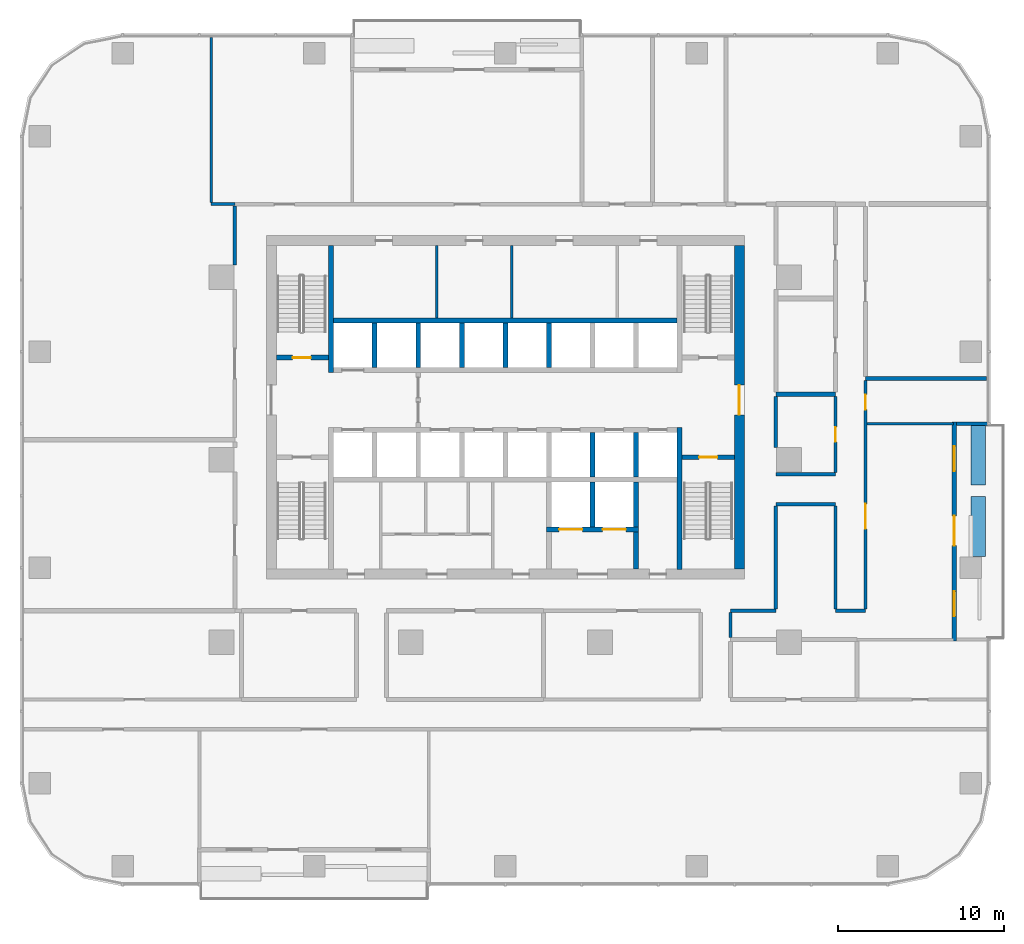
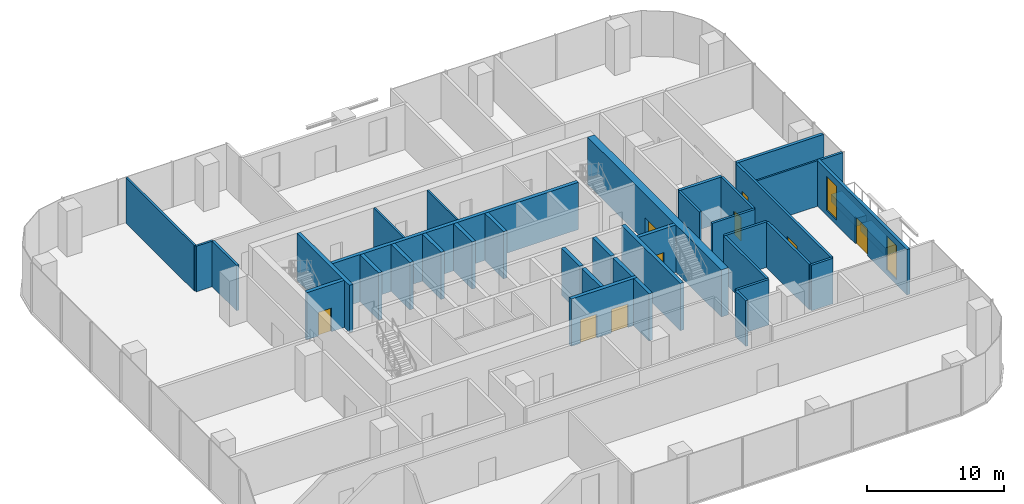
# One storey, part 9 of 14: 39 walls, 9 doors, 2 windows, 11 openings.
"""IFC4 building model written with IfcOpenShell, lengths in metres."""

from ifc_helpers import new_model, si_unit, direction, frame, frame_2d, origin, place, context, subcontext, project, spatial, rectangle, extrude, material, layer, layer_set, type_object, element, fill, save


model = new_model("IFC4")

# Units and contexts
model_context = context("Model", 3, precision=1e-05, world=origin(), true_north=direction((0.0, 1.0)))
body_context = subcontext(model_context, "Body", "Model", "MODEL_VIEW")
ifc_project = project(units=[si_unit("LENGTHUNIT", "METRE"), si_unit("AREAUNIT", "SQUARE_METRE"), si_unit("VOLUMEUNIT", "CUBIC_METRE"), si_unit("PLANEANGLEUNIT", "RADIAN"), si_unit("MASSUNIT", "GRAM", prefix="KILO")], contexts=[model_context])

# Site, building, storey
site_placement = place(None, origin())
site = spatial("IfcSite", under=ifc_project, at=site_placement, CompositionType="ELEMENT")
building_placement = place(site_placement, origin())
building = spatial("IfcBuilding", under=site, at=building_placement, Name="Mopane Tessera Tower", CompositionType="ELEMENT")
storey_placement = place(building_placement, frame((0.0, 0.0, 130.60009765625)))
storey = spatial("IfcBuildingStorey", under=building, at=storey_placement, Name="L26", CompositionType="ELEMENT", Elevation=130.60009765625)

# Walls
ifc_material_1 = material(Name="Fire-rated gypsum board partition")
ifc_layer_1 = layer(ifc_material_1, 0.14990234375)
ifc_layer_set_1 = layer_set([ifc_layer_1], Name="Fire-rated gypsum board partition")
wall_type_1 = type_object("IfcWallType", Name="Core room partition 150 mm", PredefinedType="PARTITIONING", material=ifc_layer_set_1)
for number, where, z_axis, x_axis, name in (
    (1, (-4.125, 8.550048828125, 0.0), (0.0, 0.0, 1.0), (0.0, 1.0, 0.0), "L26 Room partition"),
    (2, (0.375, 8.550048828125, 0.0), (0.0, 0.0, 1.0), (0.0, 1.0, 0.0), "L26 Room partition"),
):
    element("IfcWall", number, at=place(storey_placement, frame(where, z_axis=z_axis, x_axis=x_axis)), inside=storey, type_object=wall_type_1, Name=name, PredefinedType="PARTITIONING", context=body_context, shape_type="SweptSolid", body=[
        extrude(rectangle(XDim=4.349853515625, YDim=0.14990234375, at=frame_2d((2.1748046875, 0.0))), origin(), (0.0, 0.0, 1.0), 4.199951171875),
    ])

# Wall, opening, door
ifc_material_2 = material(Name="Concrete C70/85", Category="concrete")
ifc_layer_2 = layer(ifc_material_2, 0.60009765625)
ifc_layer_set_2 = layer_set([ifc_layer_2], Name="Concrete C70/85")
wall_type_2 = type_object("IfcWallType", Name="Core shear wall 600 mm", PredefinedType="SHEAR", material=ifc_layer_set_2)
wall_1_placement = place(storey_placement, frame((14.10009765625, -6.60009765625, 0.0), z_axis=(0.0, 0.0, 1.0), x_axis=(0.0, 1.0, 0.0)))
wall_1 = element("IfcWall", 3, at=wall_1_placement, inside=storey, type_object=wall_type_2, Name="L26 Core wall east", PredefinedType="SHEAR", context=body_context, shape_type="SweptSolid", body=[
    extrude(rectangle(XDim=19.5, YDim=0.60009765625, at=frame_2d((9.75, 0.0))), origin(), (0.0, 0.0, 1.0), 4.199951171875),
])
opening_1_placement = place(wall_1_placement, frame((9.300048828125, 0.0, 0.0)))
opening_1 = element("IfcOpeningElement", 4, at=opening_1_placement, cuts=wall_1, Name="Opening SD2", PredefinedType="OPENING", context=body_context, shape_type="SweptSolid", body=[
    extrude(rectangle(XDim=1.800048828125, YDim=2.10009765625, at=frame_2d((0.89990234375, 1.050048828125))), frame((0.0, 0.31201171875, 0.0), z_axis=(0.0, -1.0, 0.0), x_axis=(1.0, 0.0, 0.0)), (0.0, 0.0, 1.0), 0.6240234375),
])
ifc_material_3 = material(Name="Steel fire door", Category="steel")
door_type_1 = type_object("IfcDoorType", Name="Core entrance double door 1800 x 2100", OperationType="DOUBLE_DOOR_SINGLE_SWING", PredefinedType="DOOR", material=ifc_material_3)
door_1_placement = place(opening_1_placement, origin())
door_1 = element("IfcDoor", 5, at=door_1_placement, inside=storey, type_object=door_type_1, Name="L26 Core entrance door east", OperationType="DOUBLE_DOOR_SINGLE_SWING", OverallHeight=2.10009765625, OverallWidth=1.800048828125, PredefinedType="DOOR", context=body_context, shape_type="SweptSolid", body=[
    extrude(rectangle(XDim=1.800048828125, YDim=2.10009765625, at=frame_2d((0.89990234375, 1.050048828125))), frame((0.0, 0.02490234375, 0.0), z_axis=(0.0, -1.0, 0.0), x_axis=(1.0, 0.0, 0.0)), (0.0, 0.0, 1.0), 0.050048828125),
])
fill(opening_1, door_1)

# Walls
ifc_material_4 = material(Name="Concrete C60/75", Category="concrete")
ifc_layer_3 = layer(ifc_material_4, 0.300048828125)
ifc_layer_set_3 = layer_set([ifc_layer_3], Name="Concrete C60/75")
wall_type_3 = type_object("IfcWallType", Name="Core spine wall 300 mm", PredefinedType="SHEAR", material=ifc_layer_set_3)
wall_2_placement = place(storey_placement, frame((-10.5, 5.25, 0.0), z_axis=(0.0, 0.0, 1.0), x_axis=(0.0, 1.0, 0.0)))
element("IfcWall", 6, at=wall_2_placement, inside=storey, type_object=wall_type_3, Name="L26 Core spine wall", PredefinedType="SHEAR", context=body_context, shape_type="SweptSolid", body=[
    extrude(rectangle(XDim=7.64990234375, YDim=0.300048828125, at=frame_2d((3.824951171875, 0.0))), origin(), (0.0, 0.0, 1.0), 4.199951171875),
])
wall_3_placement = place(storey_placement, frame((10.5, -6.60009765625, 0.0), z_axis=(0.0, 0.0, 1.0), x_axis=(0.0, 1.0, 0.0)))
element("IfcWall", 7, at=wall_3_placement, inside=storey, type_object=wall_type_3, Name="L26 Core spine wall", PredefinedType="SHEAR", context=body_context, shape_type="SweptSolid", body=[
    extrude(rectangle(XDim=8.550048828125, YDim=0.300048828125, at=frame_2d((4.27490234375, 0.0))), origin(), (0.0, 0.0, 1.0), 4.199951171875),
])
ifc_material_5 = material(Name="Gypsum board on staggered steel studs, double layer each face, acoustic mineral wool infill", Category="steel")
ifc_layer_4 = layer(ifc_material_5, 0.175048828125)
ifc_layer_set_4 = layer_set([ifc_layer_4], Name="Gypsum board on staggered steel studs, double layer each face, acoustic mineral wool infill")
wall_type_4 = type_object("IfcWallType", Name="Gypsum board acoustic partition 175, rated EI 60", PredefinedType="PARTITIONING", material=ifc_layer_set_4)
wall_4_placement = place(storey_placement, frame((-17.72509765625, 15.39990234375, 0.0), z_axis=(0.0, 0.0, 1.0), x_axis=(1.0, 0.0, 0.0)))
element("IfcWall", 8, at=wall_4_placement, inside=storey, type_object=wall_type_4, Name="Partition L26:024", PredefinedType="PARTITIONING", context=body_context, shape_type="SweptSolid", body=[
    extrude(rectangle(XDim=1.425048828125, YDim=0.175048828125, at=frame_2d((0.71240234375, 0.0))), origin(), (0.0, 0.0, 1.0), 4.0498046875),
])
wall_5_placement = place(storey_placement, frame((-17.72509765625, 15.488037109375, 0.0), z_axis=(0.0, 0.0, 1.0), x_axis=(0.0, 1.0, 0.0)))
element("IfcWall", 9, at=wall_5_placement, inside=storey, type_object=wall_type_4, Name="Partition L26:033", PredefinedType="PARTITIONING", context=body_context, shape_type="SweptSolid", body=[
    extrude(rectangle(XDim=9.9619140625, YDim=0.175048828125, at=frame_2d((4.98095703125, 0.0))), origin(), (0.0, 0.0, 1.0), 4.0498046875),
])
ifc_material_6 = material(Name="Gypsum board on steel studs, two layers each face, mineral wool infill", Category="steel")
ifc_layer_5 = layer(ifc_material_6, 0.199951171875)
ifc_layer_set_5 = layer_set([ifc_layer_5], Name="Gypsum board on steel studs, two layers each face, mineral wool infill")
wall_type_5 = type_object("IfcWallType", Name="Gypsum board corridor wall 200, rated EI 60", PredefinedType="PARTITIONING", material=ifc_layer_set_5)
wall_6_placement = place(storey_placement, frame((13.570068359375, -9.10009765625, 0.0), z_axis=(0.0, 0.0, 1.0), x_axis=(1.0, 0.0, 0.0)))
element("IfcWall", 10, at=wall_6_placement, inside=storey, type_object=wall_type_5, Name="Partition L26:012", PredefinedType="PARTITIONING", context=body_context, shape_type="SweptSolid", body=[
    extrude(rectangle(XDim=2.72998046875, YDim=0.199951171875, at=frame_2d((1.364990234375, 0.0))), origin(), (0.0, 0.0, 1.0), 4.0498046875),
])
wall_7_placement = place(storey_placement, frame((19.89990234375, -9.10009765625, 0.0), z_axis=(0.0, 0.0, 1.0), x_axis=(1.0, 0.0, 0.0)))
element("IfcWall", 11, at=wall_7_placement, inside=storey, type_object=wall_type_5, Name="Partition L26:013", PredefinedType="PARTITIONING", context=body_context, shape_type="SweptSolid", body=[
    extrude(rectangle(XDim=1.800048828125, YDim=0.199951171875, at=frame_2d((0.89990234375, 0.0))), origin(), (0.0, 0.0, 1.0), 4.0498046875),
])
for number, where, z_axis, x_axis, name in (
    (12, (16.300048828125, -2.675048828125, 0.0), (0.0, 0.0, 1.0), (1.0, 0.0, 0.0), "Partition L26:017"),
    (13, (16.300048828125, -0.875, 0.0), (0.0, 0.0, 1.0), (1.0, 0.0, 0.0), "Partition L26:018"),
):
    element("IfcWall", number, at=place(storey_placement, frame(where, z_axis=z_axis, x_axis=x_axis)), inside=storey, type_object=wall_type_5, Name=name, PredefinedType="PARTITIONING", context=body_context, shape_type="SweptSolid", body=[
        extrude(rectangle(XDim=3.599853515625, YDim=0.199951171875, at=frame_2d((1.7998046875, 0.0))), origin(), (0.0, 0.0, 1.0), 4.0498046875),
    ])
wall_8_placement = place(storey_placement, frame((-16.300048828125, 11.75, 0.0), z_axis=(0.0, 0.0, 1.0), x_axis=(0.0, 1.0, 0.0)))
element("IfcWall", 14, at=wall_8_placement, inside=storey, type_object=wall_type_5, Name="Partition L26:035", PredefinedType="PARTITIONING", context=body_context, shape_type="SweptSolid", body=[
    extrude(rectangle(XDim=3.550048828125, YDim=0.199951171875, at=frame_2d((1.77490234375, 0.0))), origin(), (0.0, 0.0, 1.0), 4.0498046875),
])
wall_9_placement = place(storey_placement, frame((13.570068359375, -10.7099609375, 0.0), z_axis=(0.0, 0.0, 1.0), x_axis=(0.0, 1.0, 0.0)))
element("IfcWall", 15, at=wall_9_placement, inside=storey, type_object=wall_type_5, Name="Partition L26:048", PredefinedType="PARTITIONING", context=body_context, shape_type="SweptSolid", body=[
    extrude(rectangle(XDim=1.510009765625, YDim=0.199951171875, at=frame_2d((0.7548828125, 0.0))), origin(), (0.0, 0.0, 1.0), 4.0498046875),
])
wall_10_placement = place(storey_placement, frame((16.300048828125, -9.0, 0.0), z_axis=(0.0, 0.0, 1.0), x_axis=(0.0, 1.0, 0.0)))
element("IfcWall", 16, at=wall_10_placement, inside=storey, type_object=wall_type_5, Name="Partition L26:050", PredefinedType="PARTITIONING", context=body_context, shape_type="SweptSolid", body=[
    extrude(rectangle(XDim=6.22509765625, YDim=0.199951171875, at=frame_2d((3.112548828125, 0.0))), origin(), (0.0, 0.0, 1.0), 4.0498046875),
])
wall_11_placement = place(storey_placement, frame((16.300048828125, 0.75, 0.0), z_axis=(0.0, 0.0, 1.0), x_axis=(0.0, 1.0, 0.0)))
element("IfcWall", 17, at=wall_11_placement, inside=storey, type_object=wall_type_5, Name="Partition L26:051", PredefinedType="PARTITIONING", context=body_context, shape_type="SweptSolid", body=[
    extrude(rectangle(XDim=3.070068359375, YDim=0.199951171875, at=frame_2d((1.53515625, 0.0))), origin(), (0.0, 0.0, 1.0), 4.0498046875),
])
wall_12_placement = place(storey_placement, frame((19.89990234375, -9.0, 0.0), z_axis=(0.0, 0.0, 1.0), x_axis=(0.0, 1.0, 0.0)))
element("IfcWall", 18, at=wall_12_placement, inside=storey, type_object=wall_type_5, Name="Partition L26:054", PredefinedType="PARTITIONING", context=body_context, shape_type="SweptSolid", body=[
    extrude(rectangle(XDim=6.22509765625, YDim=0.199951171875, at=frame_2d((3.112548828125, 0.0))), origin(), (0.0, 0.0, 1.0), 4.0498046875),
])

# Wall, opening, door
wall_13_placement = place(storey_placement, frame((19.89990234375, -0.77490234375, 0.0), z_axis=(0.0, 0.0, 1.0), x_axis=(0.0, 1.0, 0.0)))
wall_13 = element("IfcWall", 19, at=wall_13_placement, inside=storey, type_object=wall_type_5, Name="Partition L26:055", PredefinedType="PARTITIONING", context=body_context, shape_type="SweptSolid", body=[
    extrude(rectangle(XDim=4.594970703125, YDim=0.199951171875, at=frame_2d((2.29736328125, 0.0))), origin(), (0.0, 0.0, 1.0), 4.0498046875),
])
opening_2_placement = place(wall_13_placement, frame((1.847412109375, 0.0, 0.0)))
opening_2 = element("IfcOpeningElement", 20, at=opening_2_placement, cuts=wall_13, Name="Opening L26-16", PredefinedType="OPENING", context=body_context, shape_type="SweptSolid", body=[
    extrude(rectangle(XDim=0.89990234375, YDim=2.10009765625, at=frame_2d((0.449951171875, 1.050048828125))), frame((0.0, 0.112060546875, 0.0), z_axis=(0.0, -1.0, 0.0), x_axis=(1.0, 0.0, 0.0)), (0.0, 0.0, 1.0), 0.223876953125),
])
ifc_material_7 = material(Name="Timber veneered steel-framed fire door", Category="steel")
door_type_2 = type_object("IfcDoorType", Name="Fire door FD60 900 x 2100", OperationType="SINGLE_SWING_LEFT", PredefinedType="DOOR", material=ifc_material_7)
door_2_placement = place(opening_2_placement, origin())
door_2 = element("IfcDoor", 21, at=door_2_placement, inside=storey, type_object=door_type_2, Name="Door L26-16", ObjectType="D10A", OperationType="SINGLE_SWING_LEFT", OverallHeight=2.10009765625, OverallWidth=0.89990234375, PredefinedType="DOOR", context=body_context, shape_type="SweptSolid", body=[
    extrude(rectangle(XDim=0.89990234375, YDim=2.10009765625, at=frame_2d((0.449951171875, 1.050048828125))), frame((0.0, 0.02490234375, 0.0), z_axis=(0.0, -1.0, 0.0), x_axis=(1.0, 0.0, 0.0)), (0.0, 0.0, 1.0), 0.050048828125),
])
fill(opening_2, door_2)

# Wall, openings, doors
wall_14_placement = place(storey_placement, frame((21.699951171875, -9.0, 0.0), z_axis=(0.0, 0.0, 1.0), x_axis=(0.0, 1.0, 0.0)))
wall_14 = element("IfcWall", 22, at=wall_14_placement, inside=storey, type_object=wall_type_5, Name="Partition L26:058", PredefinedType="PARTITIONING", context=body_context, shape_type="SweptSolid", body=[
    extrude(rectangle(XDim=13.77490234375, YDim=0.199951171875, at=frame_2d((6.887451171875, 0.0))), origin(), (0.0, 0.0, 1.0), 4.0498046875),
])
opening_3_placement = place(wall_14_placement, frame((4.83251953125, 0.0, 0.0)))
opening_3 = element("IfcOpeningElement", 23, at=opening_3_placement, cuts=wall_14, Name="Opening L26-04", PredefinedType="OPENING", context=body_context, shape_type="SweptSolid", body=[
    extrude(rectangle(XDim=1.5, YDim=2.10009765625, at=frame_2d((0.75, 1.050048828125))), frame((0.0, 0.112060546875, 0.0), z_axis=(0.0, -1.0, 0.0), x_axis=(1.0, 0.0, 0.0)), (0.0, 0.0, 1.0), 0.223876953125),
])
opening_4_placement = place(wall_14_placement, frame((12.02001953125, 0.0, 0.0)))
opening_4 = element("IfcOpeningElement", 24, at=opening_4_placement, cuts=wall_14, Name="Opening L26-22", PredefinedType="OPENING", context=body_context, shape_type="SweptSolid", body=[
    extrude(rectangle(XDim=0.89990234375, YDim=2.10009765625, at=frame_2d((0.449951171875, 1.050048828125))), frame((0.0, 0.112060546875, 0.0), z_axis=(0.0, -1.0, 0.0), x_axis=(1.0, 0.0, 0.0)), (0.0, 0.0, 1.0), 0.223876953125),
])
door_3_placement = place(opening_4_placement, origin())
door_3 = element("IfcDoor", 25, at=door_3_placement, inside=storey, type_object=door_type_2, Name="Door L26-22", ObjectType="D10A", OperationType="SINGLE_SWING_RIGHT", OverallHeight=2.10009765625, OverallWidth=0.89990234375, PredefinedType="DOOR", context=body_context, shape_type="SweptSolid", body=[
    extrude(rectangle(XDim=0.89990234375, YDim=2.10009765625, at=frame_2d((0.449951171875, 1.050048828125))), frame((0.0, 0.02490234375, 0.0), z_axis=(0.0, -1.0, 0.0), x_axis=(1.0, 0.0, 0.0)), (0.0, 0.0, 1.0), 0.050048828125),
])
fill(opening_4, door_3)
ifc_material_8 = material(Name="Timber veneered steel-framed fire door", Category="steel")
door_type_3 = type_object("IfcDoorType", Name="Fire door pair FD60 1500 x 2100", OperationType="DOUBLE_DOOR_SINGLE_SWING", PredefinedType="DOOR", material=ifc_material_8)
door_4_placement = place(opening_3_placement, origin())
door_4 = element("IfcDoor", 26, at=door_4_placement, inside=storey, type_object=door_type_3, Name="Door L26-04", ObjectType="D17A", OperationType="DOUBLE_DOOR_SINGLE_SWING", OverallHeight=2.10009765625, OverallWidth=1.5, PredefinedType="DOOR", context=body_context, shape_type="SweptSolid", body=[
    extrude(rectangle(XDim=1.5, YDim=2.10009765625, at=frame_2d((0.75, 1.050048828125))), frame((0.0, 0.02490234375, 0.0), z_axis=(0.0, -1.0, 0.0), x_axis=(1.0, 0.0, 0.0)), (0.0, 0.0, 1.0), 0.050048828125),
])
fill(opening_3, door_4)

# Wall
ifc_material_9 = material(Name="Gypsum board on steel studs, mineral wool infill", Category="steel")
ifc_layer_6 = layer(ifc_material_9, 0.14990234375)
ifc_layer_set_6 = layer_set([ifc_layer_6], Name="Gypsum board on steel studs, mineral wool infill")
wall_type_6 = type_object("IfcWallType", Name="Gypsum board partition 150, rated EI 60", PredefinedType="PARTITIONING", material=ifc_layer_set_6)
wall_15_placement = place(storey_placement, frame((21.800048828125, 2.1650390625, 0.0), z_axis=(0.0, 0.0, 1.0), x_axis=(1.0, 0.0, 0.0)))
element("IfcWall", 27, at=wall_15_placement, inside=storey, type_object=wall_type_6, Name="Partition L26:020", PredefinedType="PARTITIONING", context=body_context, shape_type="SweptSolid", body=[
    extrude(rectangle(XDim=5.199951171875, YDim=0.14990234375, at=frame_2d((2.60009765625, 0.0))), origin(), (0.0, 0.0, 1.0), 4.0498046875),
])

# Wall, opening, door
ifc_material_10 = material(Name="Concrete C50/60", Category="concrete")
ifc_layer_7 = layer(ifc_material_10, 0.300048828125)
ifc_layer_set_7 = layer_set([ifc_layer_7], Name="Concrete C50/60")
wall_type_7 = type_object("IfcWallType", Name="Lift and stair shaft wall 300 mm", PredefinedType="SOLIDWALL", material=ifc_layer_set_7)
wall_16_placement = place(storey_placement, frame((-13.800048828125, 6.14990234375, 0.0), z_axis=(0.0, 0.0, 1.0), x_axis=(1.0, 0.0, 0.0)))
wall_16 = element("IfcWall", 28, at=wall_16_placement, inside=storey, type_object=wall_type_7, Name="L26 Stair enclosure wall", PredefinedType="SOLIDWALL", context=body_context, shape_type="SweptSolid", body=[
    extrude(rectangle(XDim=3.150146484375, YDim=0.300048828125, at=frame_2d((1.5751953125, 0.0))), origin(), (0.0, 0.0, 1.0), 4.199951171875),
])
opening_5_placement = place(wall_16_placement, frame((0.97509765625, 0.0, 0.0)))
opening_5 = element("IfcOpeningElement", 29, at=opening_5_placement, cuts=wall_16, Name="Opening SD1", PredefinedType="OPENING", context=body_context, shape_type="SweptSolid", body=[
    extrude(rectangle(XDim=1.10009765625, YDim=2.10009765625, at=frame_2d((0.550048828125, 1.050048828125))), frame((0.0, 0.162109375, 0.0), z_axis=(0.0, -1.0, 0.0), x_axis=(1.0, 0.0, 0.0)), (0.0, 0.0, 1.0), 0.323974609375),
])
ifc_material_11 = material(Name="Steel fire door", Category="steel")
door_type_4 = type_object("IfcDoorType", Name="Stair fire door 1100 x 2100", OperationType="SINGLE_SWING_LEFT", PredefinedType="DOOR", material=ifc_material_11)
door_5_placement = place(opening_5_placement, origin())
door_5 = element("IfcDoor", 30, at=door_5_placement, inside=storey, type_object=door_type_4, Name="L26 Stair door ST2", OperationType="SINGLE_SWING_LEFT", OverallHeight=2.10009765625, OverallWidth=1.10009765625, PredefinedType="DOOR", context=body_context, shape_type="SweptSolid", body=[
    extrude(rectangle(XDim=1.10009765625, YDim=2.10009765625, at=frame_2d((0.550048828125, 1.050048828125))), frame((0.0, 0.02490234375, 0.0), z_axis=(0.0, -1.0, 0.0), x_axis=(1.0, 0.0, 0.0)), (0.0, 0.0, 1.0), 0.050048828125),
])
fill(opening_5, door_5)

wall_17_placement = place(storey_placement, frame((10.64990234375, 0.14990234375, 0.0), z_axis=(0.0, 0.0, 1.0), x_axis=(1.0, 0.0, 0.0)))
wall_17 = element("IfcWall", 31, at=wall_17_placement, inside=storey, type_object=wall_type_7, Name="L26 Stair enclosure wall", PredefinedType="SOLIDWALL", context=body_context, shape_type="SweptSolid", body=[
    extrude(rectangle(XDim=3.150146484375, YDim=0.300048828125, at=frame_2d((1.5751953125, 0.0))), origin(), (0.0, 0.0, 1.0), 4.199951171875),
])
opening_6_placement = place(wall_17_placement, frame((1.02490234375, 0.0, 0.0)))
opening_6 = element("IfcOpeningElement", 32, at=opening_6_placement, cuts=wall_17, Name="Opening SD1", PredefinedType="OPENING", context=body_context, shape_type="SweptSolid", body=[
    extrude(rectangle(XDim=1.10009765625, YDim=2.10009765625, at=frame_2d((0.550048828125, 1.050048828125))), frame((0.0, 0.162109375, 0.0), z_axis=(0.0, -1.0, 0.0), x_axis=(1.0, 0.0, 0.0)), (0.0, 0.0, 1.0), 0.323974609375),
])
door_6_placement = place(opening_6_placement, origin())
door_6 = element("IfcDoor", 33, at=door_6_placement, inside=storey, type_object=door_type_4, Name="L26 Stair door ST3", OperationType="SINGLE_SWING_RIGHT", OverallHeight=2.10009765625, OverallWidth=1.10009765625, PredefinedType="DOOR", context=body_context, shape_type="SweptSolid", body=[
    extrude(rectangle(XDim=1.10009765625, YDim=2.10009765625, at=frame_2d((0.550048828125, 1.050048828125))), frame((0.0, 0.02490234375, 0.0), z_axis=(0.0, -1.0, 0.0), x_axis=(1.0, 0.0, 0.0)), (0.0, 0.0, 1.0), 0.050048828125),
])
fill(opening_6, door_6)

# Walls
wall_18_placement = place(storey_placement, frame((-10.35009765625, 8.39990234375, 0.0), z_axis=(0.0, 0.0, 1.0), x_axis=(1.0, 0.0, 0.0)))
element("IfcWall", 34, at=wall_18_placement, inside=storey, type_object=wall_type_7, Name="L26 Lift shaft rear wall", PredefinedType="SOLIDWALL", context=body_context, shape_type="SweptSolid", body=[
    extrude(rectangle(XDim=20.7001953125, YDim=0.300048828125, at=frame_2d((10.35009765625, 0.0))), origin(), (0.0, 0.0, 1.0), 4.199951171875),
])
for number, where, z_axis, x_axis, name in (
    (35, (5.25, -1.050048828125, 0.0), (0.0, 0.0, 1.0), (0.0, 1.0, 0.0), "L26 Lift shaft wall"),
    (36, (7.875, -1.050048828125, 0.0), (0.0, 0.0, 1.0), (0.0, 1.0, 0.0), "L26 Lift shaft wall"),
    (37, (-7.875, 5.550048828125, 0.0), (0.0, 0.0, 1.0), (0.0, 1.0, 0.0), "L26 Lift shaft wall"),
    (38, (-5.25, 5.550048828125, 0.0), (0.0, 0.0, 1.0), (0.0, 1.0, 0.0), "L26 Lift shaft wall"),
    (39, (-2.625, 5.550048828125, 0.0), (0.0, 0.0, 1.0), (0.0, 1.0, 0.0), "L26 Lift shaft wall"),
    (40, (0.0, 5.550048828125, 0.0), (0.0, 0.0, 1.0), (0.0, 1.0, 0.0), "L26 Lift shaft wall"),
    (41, (2.625, 5.550048828125, 0.0), (0.0, 0.0, 1.0), (0.0, 1.0, 0.0), "L26 Lift shaft wall"),
):
    element("IfcWall", number, at=place(storey_placement, frame(where, z_axis=z_axis, x_axis=x_axis)), inside=storey, type_object=wall_type_7, Name=name, PredefinedType="SOLIDWALL", context=body_context, shape_type="SweptSolid", body=[
        extrude(rectangle(XDim=2.699951171875, YDim=0.300048828125, at=frame_2d((1.35009765625, 0.0))), origin(), (0.0, 0.0, 1.0), 4.199951171875),
    ])

# Wall, openings, doors
wall_19_placement = place(storey_placement, frame((2.47509765625, -4.199951171875, 0.0), z_axis=(0.0, 0.0, 1.0), x_axis=(1.0, 0.0, 0.0)))
wall_19 = element("IfcWall", 42, at=wall_19_placement, inside=storey, type_object=wall_type_7, Name="L26 Lift shaft front wall", PredefinedType="SOLIDWALL", context=body_context, shape_type="SweptSolid", body=[
    extrude(rectangle(XDim=5.5498046875, YDim=0.300048828125, at=frame_2d((2.77490234375, 0.0))), origin(), (0.0, 0.0, 1.0), 4.199951171875),
])
opening_7_placement = place(wall_19_placement, frame((0.762451171875, 0.0, 0.0)))
opening_7 = element("IfcOpeningElement", 43, at=opening_7_placement, cuts=wall_19, Name="Opening LD3", PredefinedType="OPENING", context=body_context, shape_type="SweptSolid", body=[
    extrude(rectangle(XDim=1.39990234375, YDim=2.10009765625, at=frame_2d((0.699951171875, 1.050048828125))), frame((0.0, 0.162109375, 0.0), z_axis=(0.0, -1.0, 0.0), x_axis=(1.0, 0.0, 0.0)), (0.0, 0.0, 1.0), 0.323974609375),
])
opening_8_placement = place(wall_19_placement, frame((3.387451171875, 0.0, 0.0)))
opening_8 = element("IfcOpeningElement", 44, at=opening_8_placement, cuts=wall_19, Name="Opening LD3", PredefinedType="OPENING", context=body_context, shape_type="SweptSolid", body=[
    extrude(rectangle(XDim=1.39990234375, YDim=2.10009765625, at=frame_2d((0.699951171875, 1.050048828125))), frame((0.0, 0.162109375, 0.0), z_axis=(0.0, -1.0, 0.0), x_axis=(1.0, 0.0, 0.0)), (0.0, 0.0, 1.0), 0.323974609375),
])
ifc_material_12 = material(Name="Stainless steel sliding door", Category="steel")
door_type_5 = type_object("IfcDoorType", Name="Service lift landing door 1400 x 2100", OperationType="DOUBLE_DOOR_SLIDING", PredefinedType="DOOR", material=ifc_material_12)
door_7_placement = place(opening_7_placement, origin())
door_7 = element("IfcDoor", 45, at=door_7_placement, inside=storey, type_object=door_type_5, Name="L26 Lift landing door SV1", OperationType="DOUBLE_DOOR_SLIDING", OverallHeight=2.10009765625, OverallWidth=1.39990234375, PredefinedType="DOOR", context=body_context, shape_type="SweptSolid", body=[
    extrude(rectangle(XDim=1.39990234375, YDim=2.10009765625, at=frame_2d((0.699951171875, 1.050048828125))), frame((0.0, 0.02490234375, 0.0), z_axis=(0.0, -1.0, 0.0), x_axis=(1.0, 0.0, 0.0)), (0.0, 0.0, 1.0), 0.050048828125),
])
fill(opening_7, door_7)
door_8_placement = place(opening_8_placement, origin())
door_8 = element("IfcDoor", 46, at=door_8_placement, inside=storey, type_object=door_type_5, Name="L26 Lift landing door SV2", OperationType="DOUBLE_DOOR_SLIDING", OverallHeight=2.10009765625, OverallWidth=1.39990234375, PredefinedType="DOOR", context=body_context, shape_type="SweptSolid", body=[
    extrude(rectangle(XDim=1.39990234375, YDim=2.10009765625, at=frame_2d((0.699951171875, 1.050048828125))), frame((0.0, 0.02490234375, 0.0), z_axis=(0.0, -1.0, 0.0), x_axis=(1.0, 0.0, 0.0)), (0.0, 0.0, 1.0), 0.050048828125),
])
fill(opening_8, door_8)

# Walls
for number, where, z_axis, x_axis, name in (
    (47, (5.25, -4.050048828125, 0.0), (0.0, 0.0, 1.0), (0.0, 1.0, 0.0), "L26 Lift shaft wall"),
    (48, (7.875, -4.050048828125, 0.0), (0.0, 0.0, 1.0), (0.0, 1.0, 0.0), "L26 Lift shaft wall"),
):
    element("IfcWall", number, at=place(storey_placement, frame(where, z_axis=z_axis, x_axis=x_axis)), inside=storey, type_object=wall_type_7, Name=name, PredefinedType="SOLIDWALL", context=body_context, shape_type="SweptSolid", body=[
        extrude(rectangle(XDim=2.699951171875, YDim=0.300048828125, at=frame_2d((1.35009765625, 0.0))), origin(), (0.0, 0.0, 1.0), 4.199951171875),
    ])
ifc_material_13 = material(Name="Concrete C50/60", Category="concrete")
ifc_layer_8 = layer(ifc_material_13, 0.300048828125)
ifc_layer_set_8 = layer_set([ifc_layer_8], Name="Concrete C50/60")
wall_type_8 = type_object("IfcWallType", Name="Lobby and refuge room wall 300 mm", PredefinedType="SOLIDWALL", material=ifc_layer_set_8)
wall_20_placement = place(storey_placement, frame((7.875, -6.60009765625, 0.0), z_axis=(0.0, 0.0, 1.0), x_axis=(0.0, 1.0, 0.0)))
element("IfcWall", 49, at=wall_20_placement, inside=storey, type_object=wall_type_8, Name="L26 Service lobby wall", PredefinedType="SOLIDWALL", context=body_context, shape_type="SweptSolid", body=[
    extrude(rectangle(XDim=2.25, YDim=0.300048828125, at=frame_2d((1.125, 0.0))), origin(), (0.0, 0.0, 1.0), 4.199951171875),
])
ifc_material_14 = material(Name="Reinforced concrete C32/40 with waterproofing", Category="concrete")
ifc_layer_9 = layer(ifc_material_14, 0.89990234375)
ifc_layer_set_9 = layer_set([ifc_layer_9], Name="Reinforced concrete C32/40 with waterproofing")
wall_type_9 = type_object("IfcWallType", Name="Planter trough 3600 x 900", PredefinedType="STANDARD", material=ifc_layer_set_9)
for number, where, z_axis, x_axis, name in (
    (50, (28.5, -5.830078125, 0.0), (0.0, 0.0, 1.0), (0.0, 1.0, 0.0), "e:nw:L26:N3:pl0"),
    (51, (28.5, -1.533447265625, 0.0), (0.0, 0.0, 1.0), (0.0, 1.0, 0.0), "e:nw:L26:N3:pl1"),
):
    element("IfcWall", number, at=place(storey_placement, frame(where, z_axis=z_axis, x_axis=x_axis)), inside=storey, type_object=wall_type_9, Name=name, PredefinedType="STANDARD", context=body_context, shape_type="SweptSolid", body=[
        extrude(rectangle(XDim=3.60009765625, YDim=0.89990234375, at=frame_2d((1.800048828125, 0.0))), origin(), (0.0, 0.0, 1.0), 0.699951171875),
    ])
ifc_material_15 = material(Name="Plastered concrete blockwork C20/25", Category="masonry")
ifc_layer_10 = layer(ifc_material_15, 0.25)
ifc_layer_set_10 = layer_set([ifc_layer_10], Name="Plastered concrete blockwork C20/25")
wall_type_10 = type_object("IfcWallType", Name="Plastered blockwork wall 250, rated EI 120", PredefinedType="PARTITIONING", material=ifc_layer_set_10)
wall_21_placement = place(storey_placement, frame((16.300048828125, 3.945068359375, 0.0), z_axis=(0.0, 0.0, 1.0), x_axis=(1.0, 0.0, 0.0)))
element("IfcWall", 52, at=wall_21_placement, inside=storey, type_object=wall_type_10, Name="Partition L26:021", PredefinedType="PARTITIONING", context=body_context, shape_type="SweptSolid", body=[
    extrude(rectangle(XDim=3.599853515625, YDim=0.25, at=frame_2d((1.7998046875, 0.0))), origin(), (0.0, 0.0, 1.0), 4.0498046875),
])
wall_22_placement = place(storey_placement, frame((21.699951171875, 4.89990234375, 0.0), z_axis=(0.0, 0.0, 1.0), x_axis=(1.0, 0.0, 0.0)))
element("IfcWall", 53, at=wall_22_placement, inside=storey, type_object=wall_type_10, Name="Partition L26:022", PredefinedType="PARTITIONING", context=body_context, shape_type="SweptSolid", body=[
    extrude(rectangle(XDim=7.300048828125, YDim=0.25, at=frame_2d((3.64990234375, 0.0))), origin(), (0.0, 0.0, 1.0), 4.0498046875),
])
ifc_material_16 = material(Name="Blockwork with glazed tile facing", Category="masonry")
ifc_layer_11 = layer(ifc_material_16, 0.199951171875)
ifc_layer_set_11 = layer_set([ifc_layer_11], Name="Blockwork with glazed tile facing")
wall_type_11 = type_object("IfcWallType", Name="Terrace cheek wall 200", PredefinedType="STANDARD", material=ifc_layer_set_11)
wall_23_placement = place(storey_placement, frame((29.050048828125, 2.166748046875, 0.0), z_axis=(0.0, 0.0, 1.0), x_axis=(-1.0, 0.0, 0.0)))
element("IfcWall", 54, at=wall_23_placement, inside=storey, type_object=wall_type_11, Name="e:nw:L26:N3:cheekb", PredefinedType="STANDARD", context=body_context, shape_type="SweptSolid", body=[
    extrude(rectangle(XDim=1.875, YDim=0.199951171875, at=frame_2d((0.9375, 0.0))), origin(), (0.0, 0.0, 1.0), 4.0498046875),
])

# Wall, openings, windows, door
ifc_material_17 = material(Name="Blockwork with ultramarine glazed tile facing", Category="masonry")
ifc_layer_12 = layer(ifc_material_17, 0.25)
ifc_layer_set_12 = layer_set([ifc_layer_12], Name="Blockwork with ultramarine glazed tile facing")
wall_type_12 = type_object("IfcWallType", Name="Tile-clad external wall 250, ultramarine", PredefinedType="STANDARD", material=ifc_layer_set_12)
wall_24_placement = place(storey_placement, frame((27.050048828125, -10.933349609375, 0.0), z_axis=(0.0, 0.0, 1.0), x_axis=(0.0, 1.0, 0.0)))
wall_24 = element("IfcWall", 55, at=wall_24_placement, inside=storey, type_object=wall_type_12, Name="e:nw:L26:N3:back", PredefinedType="STANDARD", context=body_context, shape_type="SweptSolid", body=[
    extrude(rectangle(XDim=13.199951171875, YDim=0.25, at=frame_2d((6.60009765625, 0.0))), origin(), (0.0, 0.0, 1.0), 4.0498046875),
])
opening_9_placement = place(wall_24_placement, frame((1.5, 0.0, 0.449951171875)))
opening_9 = element("IfcOpeningElement", 56, at=opening_9_placement, cuts=wall_24, Name="Opening NW263A", PredefinedType="OPENING", context=body_context, shape_type="SweptSolid", body=[
    extrude(rectangle(XDim=1.5, YDim=3.0, at=frame_2d((0.75, 1.5))), frame((0.0, 0.136962890625, 0.0), z_axis=(0.0, -1.0, 0.0), x_axis=(1.0, 0.0, 0.0)), (0.0, 0.0, 1.0), 0.27392578125),
])
opening_10_placement = place(wall_24_placement, frame((5.75, 0.0, 0.0)))
opening_10 = element("IfcOpeningElement", 57, at=opening_10_placement, cuts=wall_24, Name="Opening ND263", PredefinedType="OPENING", context=body_context, shape_type="SweptSolid", body=[
    extrude(rectangle(XDim=1.800048828125, YDim=2.39990234375, at=frame_2d((0.89990234375, 1.199951171875))), frame((0.0, 0.136962890625, 0.0), z_axis=(0.0, -1.0, 0.0), x_axis=(1.0, 0.0, 0.0)), (0.0, 0.0, 1.0), 0.27392578125),
])
opening_11_placement = place(wall_24_placement, frame((10.25, 0.0, 0.449951171875)))
opening_11 = element("IfcOpeningElement", 58, at=opening_11_placement, cuts=wall_24, Name="Opening NW263B", PredefinedType="OPENING", context=body_context, shape_type="SweptSolid", body=[
    extrude(rectangle(XDim=1.5, YDim=3.0, at=frame_2d((0.75, 1.5))), frame((0.0, 0.136962890625, 0.0), z_axis=(0.0, -1.0, 0.0), x_axis=(1.0, 0.0, 0.0)), (0.0, 0.0, 1.0), 0.27392578125),
])
ifc_material_18 = material(Name="Clear laminated glass", Category="glass")
window_type = type_object("IfcWindowType", Name="Fixed window 1500 x 3000", PartitioningType="SINGLE_PANEL", PredefinedType="WINDOW", material=ifc_material_18)
window_1_placement = place(opening_9_placement, origin())
window_1 = element("IfcWindow", 59, at=window_1_placement, inside=storey, type_object=window_type, Name="e:nw:L26:N3:win0", OverallHeight=3.0, OverallWidth=1.5, PartitioningType="SINGLE_PANEL", PredefinedType="WINDOW", context=body_context, shape_type="SweptSolid", body=[
    extrude(rectangle(XDim=1.5, YDim=3.0, at=frame_2d((0.75, 1.5))), frame((0.0, 0.030029296875, 0.0), z_axis=(0.0, -1.0, 0.0), x_axis=(1.0, 0.0, 0.0)), (0.0, 0.0, 1.0), 0.06005859375),
])
fill(opening_9, window_1)
window_2_placement = place(opening_11_placement, origin())
window_2 = element("IfcWindow", 60, at=window_2_placement, inside=storey, type_object=window_type, Name="e:nw:L26:N3:win2", OverallHeight=3.0, OverallWidth=1.5, PartitioningType="SINGLE_PANEL", PredefinedType="WINDOW", context=body_context, shape_type="SweptSolid", body=[
    extrude(rectangle(XDim=1.5, YDim=3.0, at=frame_2d((0.75, 1.5))), frame((0.0, 0.030029296875, 0.0), z_axis=(0.0, -1.0, 0.0), x_axis=(1.0, 0.0, 0.0)), (0.0, 0.0, 1.0), 0.06005859375),
])
fill(opening_11, window_2)
ifc_material_19 = material(Name="Aluminium and clear glass", Category="aluminium")
door_type_6 = type_object("IfcDoorType", Name="Terrace double door 1800 x 2400", OperationType="DOUBLE_DOOR_SINGLE_SWING", PredefinedType="DOOR", material=ifc_material_19)
door_9_placement = place(opening_10_placement, origin())
door_9 = element("IfcDoor", 61, at=door_9_placement, inside=storey, type_object=door_type_6, Name="e:nw:L26:N3:door", ObjectType="D1", OperationType="DOUBLE_DOOR_SINGLE_SWING", OverallHeight=2.39990234375, OverallWidth=1.800048828125, PredefinedType="DOOR", context=body_context, shape_type="SweptSolid", body=[
    extrude(rectangle(XDim=1.800048828125, YDim=2.39990234375, at=frame_2d((0.89990234375, 1.199951171875))), frame((0.0, 0.02490234375, 0.0), z_axis=(0.0, -1.0, 0.0), x_axis=(1.0, 0.0, 0.0)), (0.0, 0.0, 1.0), 0.050048828125),
])
fill(opening_10, door_9)

save(model, "model.ifc")
